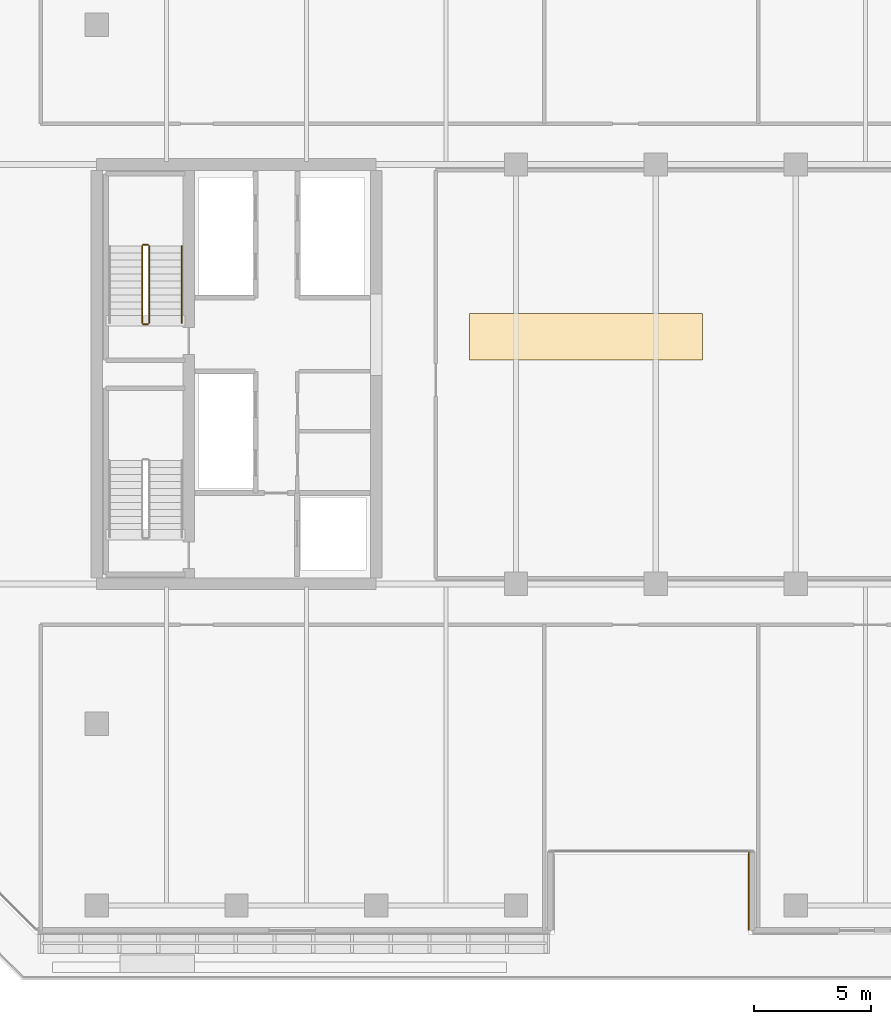
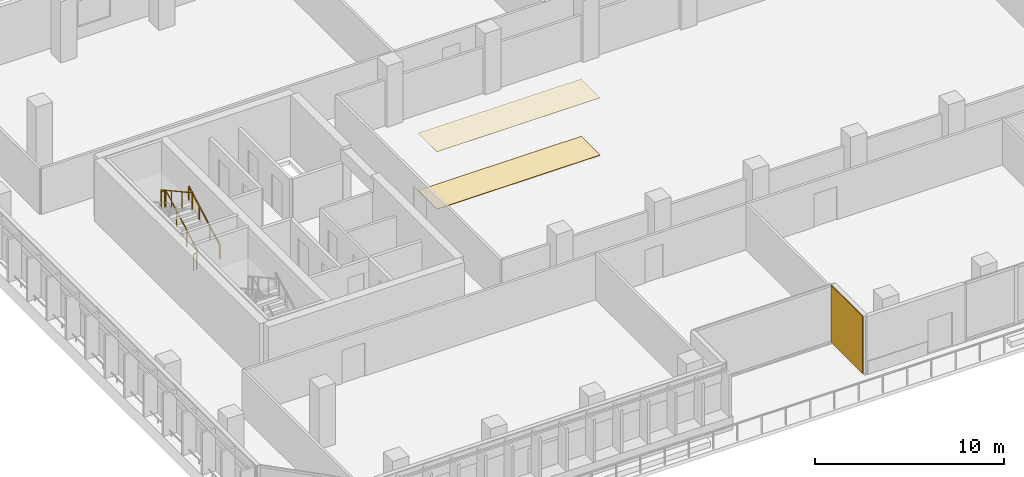
# One storey, part 35 of 38: 5 railings, 3 coverings.
"""IFC4 building model written with IfcOpenShell, lengths in metres."""

from ifc_helpers import new_model, si_unit, direction, frame, origin, origin_2d, place, context, subcontext, project, spatial, rectangle, extrude, material, layer, layer_set, type_object, element, save


model = new_model("IFC4")

# Units and contexts
model_context = context("Model", 3, precision=1e-05, world=origin(), true_north=direction((0.0, 1.0)))
body_context = subcontext(model_context, "Body", "Model", "MODEL_VIEW")
ifc_project = project(units=[si_unit("LENGTHUNIT", "METRE"), si_unit("AREAUNIT", "SQUARE_METRE"), si_unit("VOLUMEUNIT", "CUBIC_METRE"), si_unit("PLANEANGLEUNIT", "RADIAN"), si_unit("MASSUNIT", "GRAM", prefix="KILO")], contexts=[model_context])

# Site, building, storey
site_placement = place(None, origin())
site = spatial("IfcSite", under=ifc_project, at=site_placement, CompositionType="ELEMENT")
building_placement = place(site_placement, origin())
building = spatial("IfcBuilding", under=site, at=building_placement, Name="Tanjung Sevakor Pilgrim Tower", CompositionType="ELEMENT")
storey_placement = place(building_placement, frame((0.0, 0.0, 78.2099609375)))
storey = spatial("IfcBuildingStorey", under=building, at=storey_placement, Name="L21", CompositionType="ELEMENT", Elevation=78.2099609375)

# Coverings
ifc_material_1 = material(Name="Acoustic Gypsum Board Ceiling", Category="gypsum board")
ifc_layer_1 = layer(ifc_material_1, 0.02490234375)
ifc_layer_set_1 = layer_set([ifc_layer_1], Name="COV-CEIL-ACOUSTIC")
covering_type_1 = type_object("IfcCoveringType", Name="COV-CEIL-ACOUSTIC", PredefinedType="CEILING", material=ifc_layer_set_1)
covering_1_placement = place(storey_placement, frame((45.0, 35.199951171875, 3.715576171875), z_axis=(0.0, 0.0, 1.0), x_axis=(1.0, 0.0, 0.0)))
element("IfcCovering", 1, at=covering_1_placement, inside=storey, type_object=covering_type_1, Name="L21 Acoustic Suspended Ceiling", PredefinedType="CEILING", context=body_context, shape_type="SweptSolid", body=[
    extrude(rectangle(XDim=10.0, YDim=2.0, at=origin_2d()), origin(), (0.0, 0.0, 1.0), 0.02490234375),
])
ifc_material_2 = material(Name="Reconstructed Limestone Cladding", Category="masonry")
ifc_layer_2 = layer(ifc_material_2, 0.044921875)
ifc_layer_set_2 = layer_set([ifc_layer_2], Name="COV-CLAD-LIMESTONE")
covering_type_2 = type_object("IfcCoveringType", Name="COV-CLAD-LIMESTONE", PredefinedType="CLADDING", material=ifc_layer_set_2)
covering_2_placement = place(storey_placement, frame((51.9775390625, 11.425048828125, 0.02001953125), z_axis=(0.0, 0.0, 1.0), x_axis=(0.0, -1.0, 0.0)))
element("IfcCovering", 2, at=covering_2_placement, inside=storey, type_object=covering_type_2, Name="L21 Warm Limestone Wall Cladding EW-L21-MAIN-4", PredefinedType="CLADDING", context=body_context, shape_type="SweptSolid", body=[
    extrude(rectangle(XDim=3.360107421875, YDim=0.044921875, at=origin_2d()), origin(), (0.0, 0.0, 1.0), 3.699951171875),
])
ifc_material_3 = material(Name="Honed Limestone Terrazzo Flooring", Category="masonry")
ifc_layer_3 = layer(ifc_material_3, 0.030029296875)
ifc_layer_set_3 = layer_set([ifc_layer_3], Name="COV-FLOOR-TERRAZZO")
covering_type_3 = type_object("IfcCoveringType", Name="COV-FLOOR-TERRAZZO", PredefinedType="FLOORING", material=ifc_layer_set_3)
covering_3_placement = place(storey_placement, frame((45.0, 35.199951171875, 0.0), z_axis=(0.0, 0.0, 1.0), x_axis=(1.0, 0.0, 0.0)))
element("IfcCovering", 3, at=covering_3_placement, inside=storey, type_object=covering_type_3, Name="L21 Terrazzo Lobby Flooring", PredefinedType="FLOORING", context=body_context, shape_type="SweptSolid", body=[
    extrude(rectangle(XDim=10.0, YDim=2.0, at=origin_2d()), origin(), (0.0, 0.0, 1.0), 0.030029296875),
])

# Railings
ifc_material_4 = material(Name="Steel S355J2", Category="steel")
railing_type_1 = type_object("IfcRailingType", Name="RL-STAIR-GUARD", PredefinedType="GUARDRAIL", material=ifc_material_4)
railing_1_placement = place(storey_placement, frame((26.25, 35.800048828125, 0.1650390625)))
element("IfcRailing", 4, at=railing_1_placement, inside=storey, type_object=railing_type_1, Name="L21 TS-W2 stair guard 1", PredefinedType="GUARDRAIL", context=body_context, shape_type="SweptSolid", body=[
    extrude(rectangle(XDim=0.0479, YDim=0.0479), frame((0.0, 0.0, 1.076171875), z_axis=(0.0, 0.876225489012, 0.48190133057), x_axis=(-1.0, 0.0, 0.0)), (0.0, 0.0, 1.0), 3.76611328125),
    extrude(rectangle(XDim=0.042, YDim=0.042), origin(), (0.0, 0.0, 1.0), 1.052001953125),
    extrude(rectangle(XDim=0.042, YDim=0.042), frame((0.0, 1.10009765625, 0.60498046875)), (0.0, 0.0, 1.0), 1.052001953125),
    extrude(rectangle(XDim=0.042, YDim=0.042), frame((0.0, 2.199951171875, 1.2099609375)), (0.0, 0.0, 1.0), 1.052001953125),
    extrude(rectangle(XDim=0.042, YDim=0.042), frame((0.0, 3.300048828125, 1.81494140625)), (0.0, 0.0, 1.0), 1.052001953125),
])
railing_2_placement = place(storey_placement, frame((26.199951171875, 39.14990234375, 1.97998046875)))
element("IfcRailing", 5, at=railing_2_placement, inside=storey, type_object=railing_type_1, Name="L21 TS-W2 stair guard 2", PredefinedType="GUARDRAIL", context=body_context, shape_type="SweptSolid", body=[
    extrude(rectangle(XDim=0.0479, YDim=0.0479), frame((0.0, 0.0, 1.076171875), z_axis=(-1.0, 0.0, 0.0), x_axis=(0.0, -1.0, 0.0)), (0.0, 0.0, 1.0), 0.199951171875),
    extrude(rectangle(XDim=0.042, YDim=0.042), origin(), (0.0, 0.0, 1.0), 1.052001953125),
    extrude(rectangle(XDim=0.042, YDim=0.042), frame((-0.199951171875, 0.0, 0.0)), (0.0, 0.0, 1.0), 1.052001953125),
])
railing_3_placement = place(storey_placement, frame((25.949951171875, 39.10009765625, 2.14501953125)))
element("IfcRailing", 6, at=railing_3_placement, inside=storey, type_object=railing_type_1, Name="L21 TS-W2 stair guard 3", PredefinedType="GUARDRAIL", context=body_context, shape_type="SweptSolid", body=[
    extrude(rectangle(XDim=0.0479, YDim=0.0479), frame((0.0, 0.0, 1.076171875), z_axis=(0.0, -0.876225489012, 0.48190133057), x_axis=(1.0, 0.0, 0.0)), (0.0, 0.0, 1.0), 3.76611328125),
    extrude(rectangle(XDim=0.042, YDim=0.042), origin(), (0.0, 0.0, 1.0), 1.052001953125),
    extrude(rectangle(XDim=0.042, YDim=0.042), frame((0.0, -1.10009765625, 0.60498046875)), (0.0, 0.0, 1.0), 1.052001953125),
    extrude(rectangle(XDim=0.042, YDim=0.042), frame((0.0, -2.199951171875, 1.2099609375)), (0.0, 0.0, 1.0), 1.052001953125),
    extrude(rectangle(XDim=0.042, YDim=0.042), frame((0.0, -3.300048828125, 1.81494140625)), (0.0, 0.0, 1.0), 1.052001953125),
])
railing_4_placement = place(storey_placement, frame((26.199951171875, 35.75, 0.0)))
element("IfcRailing", 7, at=railing_4_placement, inside=storey, type_object=railing_type_1, Name="L21 TS-W2 stair guard 4", PredefinedType="GUARDRAIL", context=body_context, shape_type="SweptSolid", body=[
    extrude(rectangle(XDim=0.0479, YDim=0.0479), frame((0.0, 0.0, 1.076171875), z_axis=(-1.0, 0.0, 0.0), x_axis=(0.0, -1.0, 0.0)), (0.0, 0.0, 1.0), 0.199951171875),
    extrude(rectangle(XDim=0.042, YDim=0.042), origin(), (0.0, 0.0, 1.0), 1.052001953125),
    extrude(rectangle(XDim=0.042, YDim=0.042), frame((-0.199951171875, 0.0, 0.0)), (0.0, 0.0, 1.0), 1.052001953125),
])
ifc_material_5 = material(Name="Steel S355J2", Category="steel")
railing_type_2 = type_object("IfcRailingType", Name="RL-STAIR-HAND", PredefinedType="HANDRAIL", material=ifc_material_5)
railing_5_placement = place(storey_placement, frame((27.64990234375, 35.800048828125, 0.1650390625)))
element("IfcRailing", 8, at=railing_5_placement, inside=storey, type_object=railing_type_2, Name="L21 TS-W2 stair handrail 1", PredefinedType="HANDRAIL", context=body_context, shape_type="SweptSolid", body=[
    extrude(rectangle(XDim=0.0479, YDim=0.0479), frame((0.0, 0.0, 0.8759765625), z_axis=(0.0, 0.876225489012, 0.48190133057), x_axis=(-1.0, 0.0, 0.0)), (0.0, 0.0, 1.0), 3.76611328125),
    extrude(rectangle(XDim=0.042, YDim=0.042), origin(), (0.0, 0.0, 1.0), 0.851806640625),
    extrude(rectangle(XDim=0.042, YDim=0.042), frame((0.0, 1.10009765625, 0.60498046875)), (0.0, 0.0, 1.0), 0.851806640625),
    extrude(rectangle(XDim=0.042, YDim=0.042), frame((0.0, 2.199951171875, 1.2099609375)), (0.0, 0.0, 1.0), 0.851806640625),
    extrude(rectangle(XDim=0.042, YDim=0.042), frame((0.0, 3.300048828125, 1.81494140625)), (0.0, 0.0, 1.0), 0.851806640625),
])

save(model, "model.ifc")
